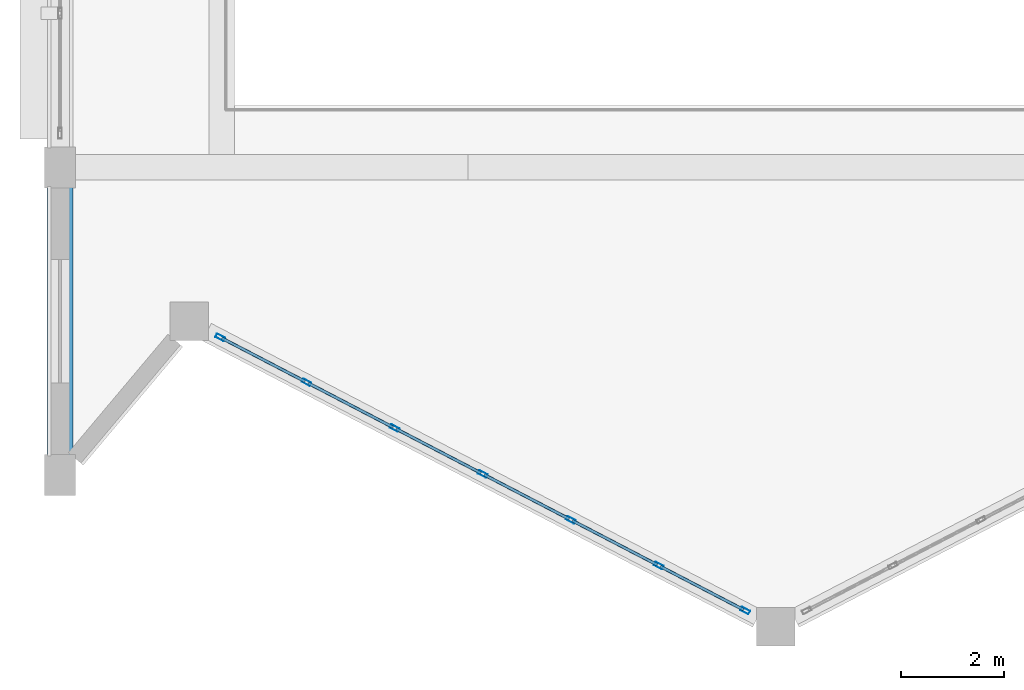
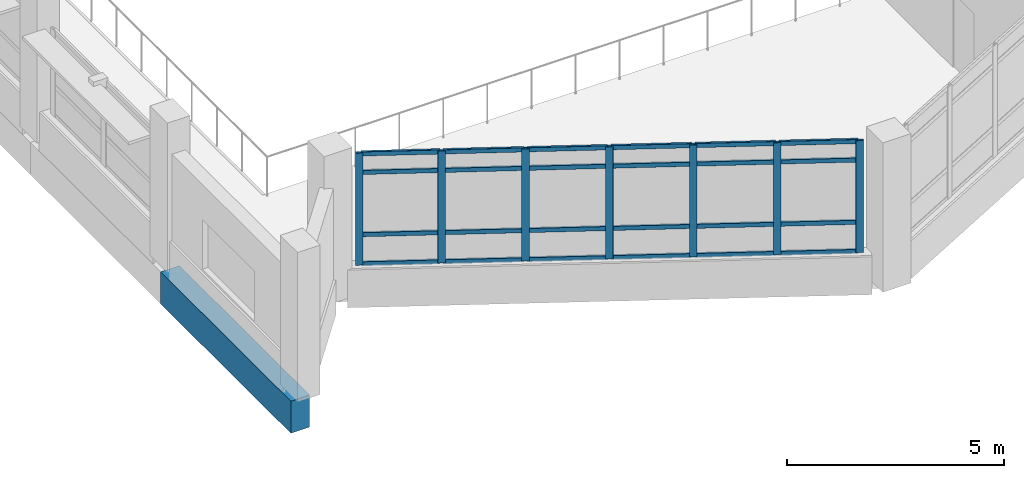
# One storey, part 12 of 128: 31 members, 1 beam, 1 element without a shape of its own.
"""IFC4 building model written with IfcOpenShell, lengths in metres."""

from ifc_helpers import new_model, si_unit, direction, frame, origin, origin_2d, place, context, subcontext, project, spatial, rectangle, hollow_rectangle, extrude, material, layer, layer_set, material_profile, profile_set, type_object, element, aggregate, save


model = new_model("IFC4")

# Units and contexts
model_context = context("Model", 3, precision=1e-05, world=origin(), true_north=direction((0.0, 1.0)))
body_context = subcontext(model_context, "Body", "Model", "MODEL_VIEW")
ifc_project = project(units=[si_unit("LENGTHUNIT", "METRE"), si_unit("AREAUNIT", "SQUARE_METRE"), si_unit("VOLUMEUNIT", "CUBIC_METRE"), si_unit("PLANEANGLEUNIT", "RADIAN"), si_unit("MASSUNIT", "GRAM", prefix="KILO")], contexts=[model_context])

# Site, building, storey
site_placement = place(None, origin())
site = spatial("IfcSite", under=ifc_project, at=site_placement, CompositionType="ELEMENT")
building_placement = place(site_placement, origin())
building = spatial("IfcBuilding", under=site, at=building_placement, Name="Vespera Passage Community Centre", CompositionType="ELEMENT")
storey_placement = place(building_placement, frame((0.0, 0.0, 4.5)))
storey = spatial("IfcBuildingStorey", under=building, at=storey_placement, Name="L01", CompositionType="ELEMENT", Elevation=4.5)

# Beam
ifc_material_1 = material(Name="Concrete f'c 45 MPa", Category="concrete")
ifc_material_profile_1 = material_profile(ifc_material_1, rectangle(XDim=0.5, YDim=0.89990234375, at=origin_2d()), Name="RC500X900")
ifc_profile_set_1 = profile_set([ifc_material_profile_1], Name="Concrete f'c 45 MPa")
beam_type = type_object("IfcBeamType", Name="BM-SP-500X900E", PredefinedType="SPANDREL", material=ifc_profile_set_1)
beam_placement = place(storey_placement, frame((4.050048828125, 7.0, -0.68994140625), z_axis=(0.0, 1.0, 0.0), x_axis=(-1.0, 0.0, 0.0)))
element("IfcBeam", 1, at=beam_placement, inside=storey, type_object=beam_type, Name="V1 L01 Spandrel W1", PredefinedType="SPANDREL", context=body_context, shape_type="SweptSolid", body=[
    extrude(rectangle(XDim=0.5, YDim=0.89990234375, at=origin_2d()), origin(), (0.0, 0.0, 1.0), 6.0),
])

# Curtain wall, members
ifc_material_2 = material(Name="Anodized aluminium 6063-T6", Category="aluminium")
ifc_layer = layer(ifc_material_2, 0.159912109375)
ifc_layer_set = layer_set([ifc_layer], Name="Anodized aluminium 6063-T6")
curtain_wall_type = type_object("IfcCurtainWallType", Name="CW-85E", PredefinedType="NOTDEFINED", material=ifc_layer_set)
curtain_wall_placement = place(storey_placement, origin())
curtain_wall = element("IfcCurtainWall", 2, at=curtain_wall_placement, inside=storey, type_object=curtain_wall_type, Name="V1 L01 S Apse Ribbon Curtain Wall 3", PredefinedType="NOTDEFINED")
ifc_material_3 = material(Name="Anodized aluminium 6063-T6", Category="aluminium")
ifc_material_profile_2 = material_profile(ifc_material_3, hollow_rectangle(XDim=0.074951171875, YDim=0.179931640625, WallThickness=0.0048828125, InnerFilletRadius=0.00244140625, OuterFilletRadius=0.0048828125, at=origin_2d()), Name="ALU180X75X5")
ifc_profile_set_2 = profile_set([ifc_material_profile_2], Name="Anodized aluminium 6063-T6")
member_type_1 = type_object("IfcMemberType", Name="MB-CWM-180E", PredefinedType="MULLION", material=ifc_profile_set_2)
member_1_placement = place(storey_placement, frame((17.401123046875, 4.36181640625, 0.800048828125), z_axis=(0.0, 0.0, 1.0), x_axis=(-0.46174493668, -0.887012747062, 0.0)))
member_1 = element("IfcMember", 3, at=member_1_placement, type_object=member_type_1, Name="CW-85E mullion 1", PredefinedType="MULLION", context=body_context, shape_type="SweptSolid", body=[
    extrude(hollow_rectangle(XDim=0.074951171875, YDim=0.179931640625, WallThickness=0.0048828125, InnerFilletRadius=0.00244140625, OuterFilletRadius=0.0048828125, at=origin_2d()), origin(), (0.0, 0.0, 1.0), 3.14990234375),
])
member_2_placement = place(storey_placement, frame((15.71826171875, 5.23779296875, 0.800048828125), z_axis=(0.0, 0.0, 1.0), x_axis=(-0.46174493668, -0.887012747062, 0.0)))
member_2 = element("IfcMember", 4, at=member_2_placement, type_object=member_type_1, Name="CW-85E mullion 2", PredefinedType="MULLION", context=body_context, shape_type="SweptSolid", body=[
    extrude(hollow_rectangle(XDim=0.074951171875, YDim=0.179931640625, WallThickness=0.0048828125, InnerFilletRadius=0.00244140625, OuterFilletRadius=0.0048828125, at=origin_2d()), origin(), (0.0, 0.0, 1.0), 3.14990234375),
])
member_3_placement = place(storey_placement, frame((14.00244140625, 6.131103515625, 0.800048828125), z_axis=(0.0, 0.0, 1.0), x_axis=(-0.46174493668, -0.887012747062, 0.0)))
member_3 = element("IfcMember", 5, at=member_3_placement, type_object=member_type_1, Name="CW-85E mullion 3", PredefinedType="MULLION", context=body_context, shape_type="SweptSolid", body=[
    extrude(hollow_rectangle(XDim=0.074951171875, YDim=0.179931640625, WallThickness=0.0048828125, InnerFilletRadius=0.00244140625, OuterFilletRadius=0.0048828125, at=origin_2d()), origin(), (0.0, 0.0, 1.0), 3.14990234375),
])
member_4_placement = place(storey_placement, frame((12.286376953125, 7.0244140625, 0.800048828125), z_axis=(0.0, 0.0, 1.0), x_axis=(-0.46174493668, -0.887012747062, 0.0)))
member_4 = element("IfcMember", 6, at=member_4_placement, type_object=member_type_1, Name="CW-85E mullion 4", PredefinedType="MULLION", context=body_context, shape_type="SweptSolid", body=[
    extrude(hollow_rectangle(XDim=0.074951171875, YDim=0.179931640625, WallThickness=0.0048828125, InnerFilletRadius=0.00244140625, OuterFilletRadius=0.0048828125, at=origin_2d()), origin(), (0.0, 0.0, 1.0), 3.14990234375),
])
member_5_placement = place(storey_placement, frame((10.5703125, 7.91748046875, 0.800048828125), z_axis=(0.0, 0.0, 1.0), x_axis=(-0.46174493668, -0.887012747062, 0.0)))
member_5 = element("IfcMember", 7, at=member_5_placement, type_object=member_type_1, Name="CW-85E mullion 5", PredefinedType="MULLION", context=body_context, shape_type="SweptSolid", body=[
    extrude(hollow_rectangle(XDim=0.074951171875, YDim=0.179931640625, WallThickness=0.0048828125, InnerFilletRadius=0.00244140625, OuterFilletRadius=0.0048828125, at=origin_2d()), origin(), (0.0, 0.0, 1.0), 3.14990234375),
])
member_6_placement = place(storey_placement, frame((8.8544921875, 8.810791015625, 0.800048828125), z_axis=(0.0, 0.0, 1.0), x_axis=(-0.46174493668, -0.887012747062, 0.0)))
member_6 = element("IfcMember", 8, at=member_6_placement, type_object=member_type_1, Name="CW-85E mullion 6", PredefinedType="MULLION", context=body_context, shape_type="SweptSolid", body=[
    extrude(hollow_rectangle(XDim=0.074951171875, YDim=0.179931640625, WallThickness=0.0048828125, InnerFilletRadius=0.00244140625, OuterFilletRadius=0.0048828125, at=origin_2d()), origin(), (0.0, 0.0, 1.0), 3.14990234375),
])
member_7_placement = place(storey_placement, frame((7.171875, 9.686767578125, 0.800048828125), z_axis=(0.0, 0.0, 1.0), x_axis=(-0.46174493668, -0.887012747062, 0.0)))
member_7 = element("IfcMember", 9, at=member_7_placement, type_object=member_type_1, Name="CW-85E mullion 7", PredefinedType="MULLION", context=body_context, shape_type="SweptSolid", body=[
    extrude(hollow_rectangle(XDim=0.074951171875, YDim=0.179931640625, WallThickness=0.0048828125, InnerFilletRadius=0.00244140625, OuterFilletRadius=0.0048828125, at=origin_2d()), origin(), (0.0, 0.0, 1.0), 3.14990234375),
])
ifc_material_4 = material(Name="Anodized aluminium 6063-T6", Category="aluminium")
ifc_material_profile_3 = material_profile(ifc_material_4, hollow_rectangle(XDim=0.06005859375, YDim=0.1201171875, WallThickness=0.00390625, InnerFilletRadius=0.001953125, OuterFilletRadius=0.00390625, at=origin_2d()), Name="ALU120X60X4")
ifc_profile_set_3 = profile_set([ifc_material_profile_3], Name="Anodized aluminium 6063-T6")
member_type_2 = type_object("IfcMemberType", Name="MB-CWT-120E", PredefinedType="USERDEFINED", material=ifc_profile_set_3)
member_8_placement = place(storey_placement, frame((17.36767578125, 4.379150390625, 0.830078125), z_axis=(-0.886990706074, 0.461787274986, 0.0), x_axis=(-0.461787274986, -0.886990706074, 0.0)))
member_8 = element("IfcMember", 10, at=member_8_placement, type_object=member_type_2, Name="CW-85E transom 1.1", ObjectType="TRANSOM", PredefinedType="USERDEFINED", context=body_context, shape_type="SweptSolid", body=[
    extrude(hollow_rectangle(XDim=0.06005859375, YDim=0.1201171875, WallThickness=0.00390625, InnerFilletRadius=0.001953125, OuterFilletRadius=0.00390625, at=origin_2d()), origin(), (0.0, 0.0, 1.0), 1.82177734375),
])
member_9_placement = place(storey_placement, frame((17.36767578125, 4.379150390625, 1.64990234375), z_axis=(-0.886990706074, 0.461787274986, 0.0), x_axis=(-0.461787274986, -0.886990706074, 0.0)))
member_9 = element("IfcMember", 11, at=member_9_placement, type_object=member_type_2, Name="CW-85E transom 1.2", ObjectType="TRANSOM", PredefinedType="USERDEFINED", context=body_context, shape_type="SweptSolid", body=[
    extrude(hollow_rectangle(XDim=0.06005859375, YDim=0.1201171875, WallThickness=0.00390625, InnerFilletRadius=0.001953125, OuterFilletRadius=0.00390625, at=origin_2d()), origin(), (0.0, 0.0, 1.0), 1.82177734375),
])
member_10_placement = place(storey_placement, frame((17.36767578125, 4.379150390625, 3.39990234375), z_axis=(-0.886990706074, 0.461787274986, 0.0), x_axis=(-0.461787274986, -0.886990706074, 0.0)))
member_10 = element("IfcMember", 12, at=member_10_placement, type_object=member_type_2, Name="CW-85E transom 1.3", ObjectType="TRANSOM", PredefinedType="USERDEFINED", context=body_context, shape_type="SweptSolid", body=[
    extrude(hollow_rectangle(XDim=0.06005859375, YDim=0.1201171875, WallThickness=0.00390625, InnerFilletRadius=0.001953125, OuterFilletRadius=0.00390625, at=origin_2d()), origin(), (0.0, 0.0, 1.0), 1.82177734375),
])
member_11_placement = place(storey_placement, frame((17.36767578125, 4.379150390625, 3.919921875), z_axis=(-0.886990706074, 0.461787274986, 0.0), x_axis=(-0.461787274986, -0.886990706074, 0.0)))
member_11 = element("IfcMember", 13, at=member_11_placement, type_object=member_type_2, Name="CW-85E transom 1.4", ObjectType="TRANSOM", PredefinedType="USERDEFINED", context=body_context, shape_type="SweptSolid", body=[
    extrude(hollow_rectangle(XDim=0.06005859375, YDim=0.1201171875, WallThickness=0.00390625, InnerFilletRadius=0.001953125, OuterFilletRadius=0.00390625, at=origin_2d()), origin(), (0.0, 0.0, 1.0), 1.82177734375),
])
member_12_placement = place(storey_placement, frame((15.68505859375, 5.255126953125, 0.830078125), z_axis=(-0.887008197889, 0.461753675544, 0.0), x_axis=(-0.461753675544, -0.887008197889, 0.0)))
member_12 = element("IfcMember", 14, at=member_12_placement, type_object=member_type_2, Name="CW-85E transom 2.1", ObjectType="TRANSOM", PredefinedType="USERDEFINED", context=body_context, shape_type="SweptSolid", body=[
    extrude(hollow_rectangle(XDim=0.06005859375, YDim=0.1201171875, WallThickness=0.00390625, InnerFilletRadius=0.001953125, OuterFilletRadius=0.00390625, at=origin_2d()), origin(), (0.0, 0.0, 1.0), 1.859619140625),
])
member_13_placement = place(storey_placement, frame((15.68505859375, 5.255126953125, 1.64990234375), z_axis=(-0.887008197889, 0.461753675544, 0.0), x_axis=(-0.461753675544, -0.887008197889, 0.0)))
member_13 = element("IfcMember", 15, at=member_13_placement, type_object=member_type_2, Name="CW-85E transom 2.2", ObjectType="TRANSOM", PredefinedType="USERDEFINED", context=body_context, shape_type="SweptSolid", body=[
    extrude(hollow_rectangle(XDim=0.06005859375, YDim=0.1201171875, WallThickness=0.00390625, InnerFilletRadius=0.001953125, OuterFilletRadius=0.00390625, at=origin_2d()), origin(), (0.0, 0.0, 1.0), 1.859619140625),
])
member_14_placement = place(storey_placement, frame((15.68505859375, 5.255126953125, 3.39990234375), z_axis=(-0.887008197889, 0.461753675544, 0.0), x_axis=(-0.461753675544, -0.887008197889, 0.0)))
member_14 = element("IfcMember", 16, at=member_14_placement, type_object=member_type_2, Name="CW-85E transom 2.3", ObjectType="TRANSOM", PredefinedType="USERDEFINED", context=body_context, shape_type="SweptSolid", body=[
    extrude(hollow_rectangle(XDim=0.06005859375, YDim=0.1201171875, WallThickness=0.00390625, InnerFilletRadius=0.001953125, OuterFilletRadius=0.00390625, at=origin_2d()), origin(), (0.0, 0.0, 1.0), 1.859619140625),
])
member_15_placement = place(storey_placement, frame((15.68505859375, 5.255126953125, 3.919921875), z_axis=(-0.887008197889, 0.461753675544, 0.0), x_axis=(-0.461753675544, -0.887008197889, 0.0)))
member_15 = element("IfcMember", 17, at=member_15_placement, type_object=member_type_2, Name="CW-85E transom 2.4", ObjectType="TRANSOM", PredefinedType="USERDEFINED", context=body_context, shape_type="SweptSolid", body=[
    extrude(hollow_rectangle(XDim=0.06005859375, YDim=0.1201171875, WallThickness=0.00390625, InnerFilletRadius=0.001953125, OuterFilletRadius=0.00390625, at=origin_2d()), origin(), (0.0, 0.0, 1.0), 1.859619140625),
])
member_16_placement = place(storey_placement, frame((13.968994140625, 6.1484375, 0.830078125), z_axis=(-0.887008197889, 0.461753675544, 0.0), x_axis=(-0.461753675544, -0.887008197889, 0.0)))
member_16 = element("IfcMember", 18, at=member_16_placement, type_object=member_type_2, Name="CW-85E transom 3.1", ObjectType="TRANSOM", PredefinedType="USERDEFINED", context=body_context, shape_type="SweptSolid", body=[
    extrude(hollow_rectangle(XDim=0.06005859375, YDim=0.1201171875, WallThickness=0.00390625, InnerFilletRadius=0.001953125, OuterFilletRadius=0.00390625, at=origin_2d()), origin(), (0.0, 0.0, 1.0), 1.859619140625),
])
member_17_placement = place(storey_placement, frame((13.968994140625, 6.1484375, 1.64990234375), z_axis=(-0.887008197889, 0.461753675544, 0.0), x_axis=(-0.461753675544, -0.887008197889, 0.0)))
member_17 = element("IfcMember", 19, at=member_17_placement, type_object=member_type_2, Name="CW-85E transom 3.2", ObjectType="TRANSOM", PredefinedType="USERDEFINED", context=body_context, shape_type="SweptSolid", body=[
    extrude(hollow_rectangle(XDim=0.06005859375, YDim=0.1201171875, WallThickness=0.00390625, InnerFilletRadius=0.001953125, OuterFilletRadius=0.00390625, at=origin_2d()), origin(), (0.0, 0.0, 1.0), 1.859619140625),
])
member_18_placement = place(storey_placement, frame((13.968994140625, 6.1484375, 3.39990234375), z_axis=(-0.887008197889, 0.461753675544, 0.0), x_axis=(-0.461753675544, -0.887008197889, 0.0)))
member_18 = element("IfcMember", 20, at=member_18_placement, type_object=member_type_2, Name="CW-85E transom 3.3", ObjectType="TRANSOM", PredefinedType="USERDEFINED", context=body_context, shape_type="SweptSolid", body=[
    extrude(hollow_rectangle(XDim=0.06005859375, YDim=0.1201171875, WallThickness=0.00390625, InnerFilletRadius=0.001953125, OuterFilletRadius=0.00390625, at=origin_2d()), origin(), (0.0, 0.0, 1.0), 1.859619140625),
])
member_19_placement = place(storey_placement, frame((13.968994140625, 6.1484375, 3.919921875), z_axis=(-0.887008197889, 0.461753675544, 0.0), x_axis=(-0.461753675544, -0.887008197889, 0.0)))
member_19 = element("IfcMember", 21, at=member_19_placement, type_object=member_type_2, Name="CW-85E transom 3.4", ObjectType="TRANSOM", PredefinedType="USERDEFINED", context=body_context, shape_type="SweptSolid", body=[
    extrude(hollow_rectangle(XDim=0.06005859375, YDim=0.1201171875, WallThickness=0.00390625, InnerFilletRadius=0.001953125, OuterFilletRadius=0.00390625, at=origin_2d()), origin(), (0.0, 0.0, 1.0), 1.859619140625),
])
member_20_placement = place(storey_placement, frame((12.253173828125, 7.04150390625, 0.830078125), z_axis=(-0.887008197889, 0.461753675544, 0.0), x_axis=(-0.461753675544, -0.887008197889, 0.0)))
member_20 = element("IfcMember", 22, at=member_20_placement, type_object=member_type_2, Name="CW-85E transom 4.1", ObjectType="TRANSOM", PredefinedType="USERDEFINED", context=body_context, shape_type="SweptSolid", body=[
    extrude(hollow_rectangle(XDim=0.06005859375, YDim=0.1201171875, WallThickness=0.00390625, InnerFilletRadius=0.001953125, OuterFilletRadius=0.00390625, at=origin_2d()), origin(), (0.0, 0.0, 1.0), 1.859619140625),
])
member_21_placement = place(storey_placement, frame((12.253173828125, 7.04150390625, 1.64990234375), z_axis=(-0.887008197889, 0.461753675544, 0.0), x_axis=(-0.461753675544, -0.887008197889, 0.0)))
member_21 = element("IfcMember", 23, at=member_21_placement, type_object=member_type_2, Name="CW-85E transom 4.2", ObjectType="TRANSOM", PredefinedType="USERDEFINED", context=body_context, shape_type="SweptSolid", body=[
    extrude(hollow_rectangle(XDim=0.06005859375, YDim=0.1201171875, WallThickness=0.00390625, InnerFilletRadius=0.001953125, OuterFilletRadius=0.00390625, at=origin_2d()), origin(), (0.0, 0.0, 1.0), 1.859619140625),
])
member_22_placement = place(storey_placement, frame((12.253173828125, 7.04150390625, 3.39990234375), z_axis=(-0.887008197889, 0.461753675544, 0.0), x_axis=(-0.461753675544, -0.887008197889, 0.0)))
member_22 = element("IfcMember", 24, at=member_22_placement, type_object=member_type_2, Name="CW-85E transom 4.3", ObjectType="TRANSOM", PredefinedType="USERDEFINED", context=body_context, shape_type="SweptSolid", body=[
    extrude(hollow_rectangle(XDim=0.06005859375, YDim=0.1201171875, WallThickness=0.00390625, InnerFilletRadius=0.001953125, OuterFilletRadius=0.00390625, at=origin_2d()), origin(), (0.0, 0.0, 1.0), 1.859619140625),
])
member_23_placement = place(storey_placement, frame((12.253173828125, 7.04150390625, 3.919921875), z_axis=(-0.887008197889, 0.461753675544, 0.0), x_axis=(-0.461753675544, -0.887008197889, 0.0)))
member_23 = element("IfcMember", 25, at=member_23_placement, type_object=member_type_2, Name="CW-85E transom 4.4", ObjectType="TRANSOM", PredefinedType="USERDEFINED", context=body_context, shape_type="SweptSolid", body=[
    extrude(hollow_rectangle(XDim=0.06005859375, YDim=0.1201171875, WallThickness=0.00390625, InnerFilletRadius=0.001953125, OuterFilletRadius=0.00390625, at=origin_2d()), origin(), (0.0, 0.0, 1.0), 1.859619140625),
])
member_24_placement = place(storey_placement, frame((10.537109375, 7.934814453125, 0.830078125), z_axis=(-0.887008197889, 0.461753675544, 0.0), x_axis=(-0.461753675544, -0.887008197889, 0.0)))
member_24 = element("IfcMember", 26, at=member_24_placement, type_object=member_type_2, Name="CW-85E transom 5.1", ObjectType="TRANSOM", PredefinedType="USERDEFINED", context=body_context, shape_type="SweptSolid", body=[
    extrude(hollow_rectangle(XDim=0.06005859375, YDim=0.1201171875, WallThickness=0.00390625, InnerFilletRadius=0.001953125, OuterFilletRadius=0.00390625, at=origin_2d()), origin(), (0.0, 0.0, 1.0), 1.859619140625),
])
member_25_placement = place(storey_placement, frame((10.537109375, 7.934814453125, 1.64990234375), z_axis=(-0.887008197889, 0.461753675544, 0.0), x_axis=(-0.461753675544, -0.887008197889, 0.0)))
member_25 = element("IfcMember", 27, at=member_25_placement, type_object=member_type_2, Name="CW-85E transom 5.2", ObjectType="TRANSOM", PredefinedType="USERDEFINED", context=body_context, shape_type="SweptSolid", body=[
    extrude(hollow_rectangle(XDim=0.06005859375, YDim=0.1201171875, WallThickness=0.00390625, InnerFilletRadius=0.001953125, OuterFilletRadius=0.00390625, at=origin_2d()), origin(), (0.0, 0.0, 1.0), 1.859619140625),
])
member_26_placement = place(storey_placement, frame((10.537109375, 7.934814453125, 3.39990234375), z_axis=(-0.887008197889, 0.461753675544, 0.0), x_axis=(-0.461753675544, -0.887008197889, 0.0)))
member_26 = element("IfcMember", 28, at=member_26_placement, type_object=member_type_2, Name="CW-85E transom 5.3", ObjectType="TRANSOM", PredefinedType="USERDEFINED", context=body_context, shape_type="SweptSolid", body=[
    extrude(hollow_rectangle(XDim=0.06005859375, YDim=0.1201171875, WallThickness=0.00390625, InnerFilletRadius=0.001953125, OuterFilletRadius=0.00390625, at=origin_2d()), origin(), (0.0, 0.0, 1.0), 1.859619140625),
])
member_27_placement = place(storey_placement, frame((10.537109375, 7.934814453125, 3.919921875), z_axis=(-0.887008197889, 0.461753675544, 0.0), x_axis=(-0.461753675544, -0.887008197889, 0.0)))
member_27 = element("IfcMember", 29, at=member_27_placement, type_object=member_type_2, Name="CW-85E transom 5.4", ObjectType="TRANSOM", PredefinedType="USERDEFINED", context=body_context, shape_type="SweptSolid", body=[
    extrude(hollow_rectangle(XDim=0.06005859375, YDim=0.1201171875, WallThickness=0.00390625, InnerFilletRadius=0.001953125, OuterFilletRadius=0.00390625, at=origin_2d()), origin(), (0.0, 0.0, 1.0), 1.859619140625),
])
member_28_placement = place(storey_placement, frame((8.8212890625, 8.828125, 0.830078125), z_axis=(-0.887019277583, 0.461732391322, 0.0), x_axis=(-0.461732391322, -0.887019277583, 0.0)))
member_28 = element("IfcMember", 30, at=member_28_placement, type_object=member_type_2, Name="CW-85E transom 6.1", ObjectType="TRANSOM", PredefinedType="USERDEFINED", context=body_context, shape_type="SweptSolid", body=[
    extrude(hollow_rectangle(XDim=0.06005859375, YDim=0.1201171875, WallThickness=0.00390625, InnerFilletRadius=0.001953125, OuterFilletRadius=0.00390625, at=origin_2d()), origin(), (0.0, 0.0, 1.0), 1.822021484375),
])
member_29_placement = place(storey_placement, frame((8.8212890625, 8.828125, 1.64990234375), z_axis=(-0.887019277583, 0.461732391322, 0.0), x_axis=(-0.461732391322, -0.887019277583, 0.0)))
member_29 = element("IfcMember", 31, at=member_29_placement, type_object=member_type_2, Name="CW-85E transom 6.2", ObjectType="TRANSOM", PredefinedType="USERDEFINED", context=body_context, shape_type="SweptSolid", body=[
    extrude(hollow_rectangle(XDim=0.06005859375, YDim=0.1201171875, WallThickness=0.00390625, InnerFilletRadius=0.001953125, OuterFilletRadius=0.00390625, at=origin_2d()), origin(), (0.0, 0.0, 1.0), 1.822021484375),
])
member_30_placement = place(storey_placement, frame((8.8212890625, 8.828125, 3.39990234375), z_axis=(-0.887019277583, 0.461732391322, 0.0), x_axis=(-0.461732391322, -0.887019277583, 0.0)))
member_30 = element("IfcMember", 32, at=member_30_placement, type_object=member_type_2, Name="CW-85E transom 6.3", ObjectType="TRANSOM", PredefinedType="USERDEFINED", context=body_context, shape_type="SweptSolid", body=[
    extrude(hollow_rectangle(XDim=0.06005859375, YDim=0.1201171875, WallThickness=0.00390625, InnerFilletRadius=0.001953125, OuterFilletRadius=0.00390625, at=origin_2d()), origin(), (0.0, 0.0, 1.0), 1.822021484375),
])
member_31_placement = place(storey_placement, frame((8.8212890625, 8.828125, 3.919921875), z_axis=(-0.887019277583, 0.461732391322, 0.0), x_axis=(-0.461732391322, -0.887019277583, 0.0)))
member_31 = element("IfcMember", 33, at=member_31_placement, type_object=member_type_2, Name="CW-85E transom 6.4", ObjectType="TRANSOM", PredefinedType="USERDEFINED", context=body_context, shape_type="SweptSolid", body=[
    extrude(hollow_rectangle(XDim=0.06005859375, YDim=0.1201171875, WallThickness=0.00390625, InnerFilletRadius=0.001953125, OuterFilletRadius=0.00390625, at=origin_2d()), origin(), (0.0, 0.0, 1.0), 1.822021484375),
])
aggregate(curtain_wall, [member_1, member_2, member_3, member_4, member_5, member_6, member_7, member_8, member_9, member_10, member_11, member_12, member_13, member_14, member_15, member_16, member_17, member_18, member_19, member_20, member_21, member_22, member_23, member_24, member_25, member_26, member_27, member_28, member_29, member_30, member_31])

save(model, "model.ifc")
